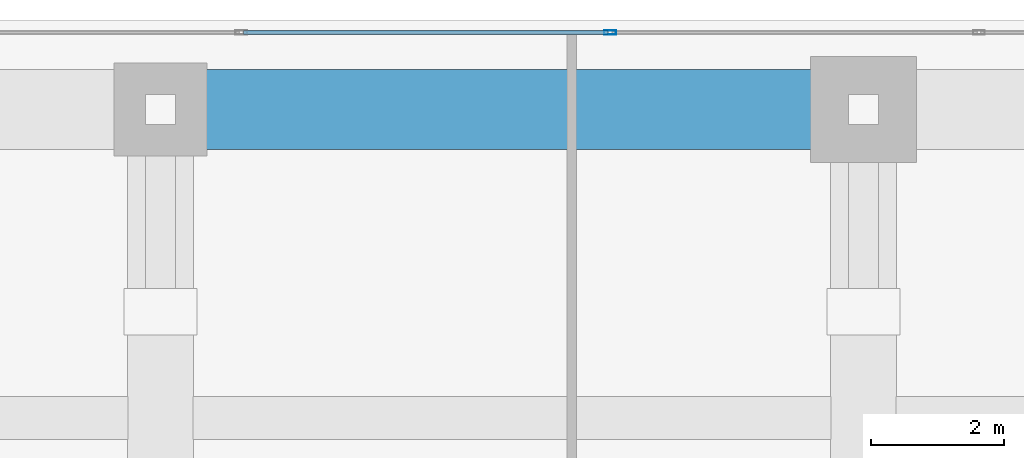
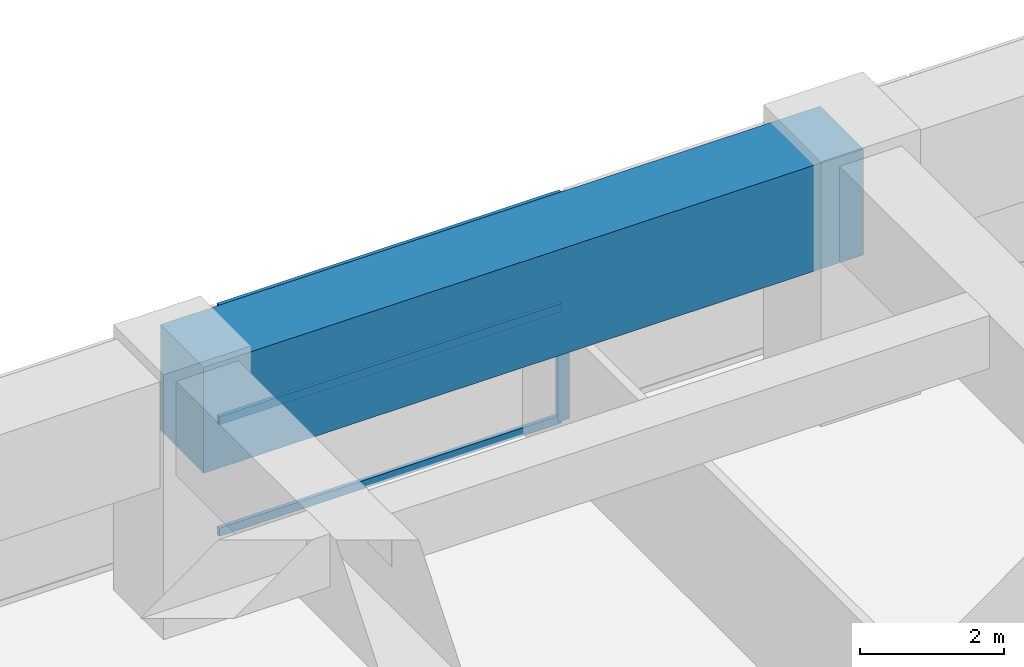
# One storey, part 6 of 33: 4 members, 1 beam, 1 element without a shape of its own.
"""IFC4 building model written with IfcOpenShell, lengths in metres."""

from ifc_helpers import new_model, si_unit, direction, frame, origin, origin_2d, place, context, subcontext, project, spatial, rectangle, hollow_rectangle, extrude, source, transform, mapped, material, layer, layer_set, material_profile, profile_set, type_object, element, aggregate, save


model = new_model("IFC4")

# Units and contexts
model_context = context("Model", 3, precision=1e-05, world=origin(), true_north=direction((0.0, 1.0)))
body_context = subcontext(model_context, "Body", "Model", "MODEL_VIEW")
ifc_project = project(units=[si_unit("LENGTHUNIT", "METRE"), si_unit("AREAUNIT", "SQUARE_METRE"), si_unit("VOLUMEUNIT", "CUBIC_METRE"), si_unit("PLANEANGLEUNIT", "RADIAN"), si_unit("MASSUNIT", "GRAM", prefix="KILO")], contexts=[model_context])

# Site, building, storey
site_placement = place(None, origin())
site = spatial("IfcSite", under=ifc_project, at=site_placement, CompositionType="ELEMENT")
building_placement = place(site_placement, origin())
building = spatial("IfcBuilding", under=site, at=building_placement, Name="Khoralis Quay Care Tower", CompositionType="ELEMENT")
storey_placement = place(building_placement, frame((0.0, 0.0, 18.0)))
storey = spatial("IfcBuildingStorey", under=building, at=storey_placement, Name="L04", CompositionType="ELEMENT", Elevation=18.0)

# Beam
ifc_material_1 = material(Name="Concrete C80/95", Category="concrete")
ifc_material_profile_1 = material_profile(ifc_material_1, rectangle(XDim=1.199951171875, YDim=1.800048828125, at=origin_2d()), Name="Concrete C80/95")
ifc_profile_set_1 = profile_set([ifc_material_profile_1], Name="Concrete C80/95")
beam_type = type_object("IfcBeamType", Name="TG-RC1200X1800", PredefinedType="BEAM", material=ifc_profile_set_1)
shared_shape_1 = source(origin(), body_context, "Body", "SweptSolid", [
    extrude(rectangle(XDim=1.199951171875, YDim=1.800048828125, at=origin_2d()), origin(), (0.0, 0.0, 1.0), 10.60009765625),
])
beam_placement = place(storey_placement, frame((24.0, 46.64990234375, 3.419921875), z_axis=(1.0, 0.0, 0.0), x_axis=(0.0, 1.0, 0.0)))
element("IfcBeam", 1, at=beam_placement, inside=storey, type_object=beam_type, Name="L04 Transfer girder BM-PODX-L04-21", PredefinedType="BEAM", context=body_context, shape_type="MappedRepresentation", body=[
    mapped(shared_shape_1, transform((0.0, 0.0, 0.0), scale=1.0)),
])

# Curtain wall, members
ifc_material_2 = material(Name="Pale anodised aluminium", Category="aluminium")
ifc_layer = layer(ifc_material_2, 0.179931640625)
ifc_layer_set = layer_set([ifc_layer], Name="Pale anodised aluminium")
curtain_wall_type = type_object("IfcCurtainWallType", Name="CW-SYS-Z1", PredefinedType="NOTDEFINED", material=ifc_layer_set)
curtain_wall_placement = place(storey_placement, origin())
curtain_wall = element("IfcCurtainWall", 2, at=curtain_wall_placement, inside=storey, type_object=curtain_wall_type, Name="L04 Unitised Curtain Wall CW-POD-L04-E4", PredefinedType="NOTDEFINED")
ifc_material_profile_2 = material_profile(ifc_material_2, hollow_rectangle(XDim=0.06005859375, YDim=0.139892578125, WallThickness=0.00390625, at=origin_2d()), Name="Pale anodised aluminium")
ifc_profile_set_2 = profile_set([ifc_material_profile_2], Name="Pale anodised aluminium")
member_type_1 = type_object("IfcMemberType", Name="CW-TRN-140", PredefinedType="USERDEFINED", material=ifc_profile_set_2)
shared_shape_2 = source(origin(), body_context, "Body", "SweptSolid", [
    extrude(hollow_rectangle(XDim=0.06005859375, YDim=0.139892578125, WallThickness=0.00390625, at=origin_2d()), origin(), (0.0, 0.0, 1.0), 5.501953125),
])
member_1_placement = place(storey_placement, frame((30.7509765625, 47.81005859375, 0.030029296875), z_axis=(-1.0, 0.0, 0.0), x_axis=(0.0, -1.0, 0.0)))
member_1 = element("IfcMember", 3, at=member_1_placement, type_object=member_type_1, Name="CW1 transom 3.1", ObjectType="TRANSOM", PredefinedType="USERDEFINED", context=body_context, shape_type="MappedRepresentation", body=[
    mapped(shared_shape_2, transform((0.0, 0.0, 0.0), scale=1.0)),
])
member_2_placement = place(storey_placement, frame((30.7509765625, 47.81005859375, 1.925048828125), z_axis=(-1.0, 0.0, 0.0), x_axis=(0.0, -1.0, 0.0)))
member_2 = element("IfcMember", 4, at=member_2_placement, type_object=member_type_1, Name="CW1 transom 3.2", ObjectType="TRANSOM", PredefinedType="USERDEFINED", context=body_context, shape_type="MappedRepresentation", body=[
    mapped(shared_shape_2, transform((0.0, 0.0, 0.0), scale=1.0)),
])
member_3_placement = place(storey_placement, frame((30.7509765625, 47.81005859375, 3.820068359375), z_axis=(-1.0, 0.0, 0.0), x_axis=(0.0, -1.0, 0.0)))
member_3 = element("IfcMember", 5, at=member_3_placement, type_object=member_type_1, Name="CW1 transom 3.3", ObjectType="TRANSOM", PredefinedType="USERDEFINED", context=body_context, shape_type="MappedRepresentation", body=[
    mapped(shared_shape_2, transform((0.0, 0.0, 0.0), scale=1.0)),
])
ifc_material_profile_3 = material_profile(ifc_material_2, hollow_rectangle(XDim=0.06494140625, YDim=0.179931640625, WallThickness=0.00390625, at=origin_2d()), Name="Pale anodised aluminium")
ifc_profile_set_3 = profile_set([ifc_material_profile_3], Name="Pale anodised aluminium")
member_type_2 = type_object("IfcMemberType", Name="CW-MUL-180", PredefinedType="MULLION", material=ifc_profile_set_3)
shared_shape_3 = source(origin(), body_context, "Body", "SweptSolid", [
    extrude(hollow_rectangle(XDim=0.06494140625, YDim=0.179931640625, WallThickness=0.00390625, at=origin_2d()), origin(), (0.0, 0.0, 1.0), 3.85009765625),
])
member_4_placement = place(storey_placement, frame((30.781005859375, 47.81005859375, 0.0), z_axis=(0.0, 0.0, 1.0), x_axis=(0.0, -1.0, 0.0)))
member_4 = element("IfcMember", 6, at=member_4_placement, type_object=member_type_2, Name="CW1 mullion 3", PredefinedType="MULLION", context=body_context, shape_type="MappedRepresentation", body=[
    mapped(shared_shape_3, transform((0.0, 0.0, 0.0), scale=1.0)),
])
aggregate(curtain_wall, [member_4, member_1, member_2, member_3])

save(model, "model.ifc")
